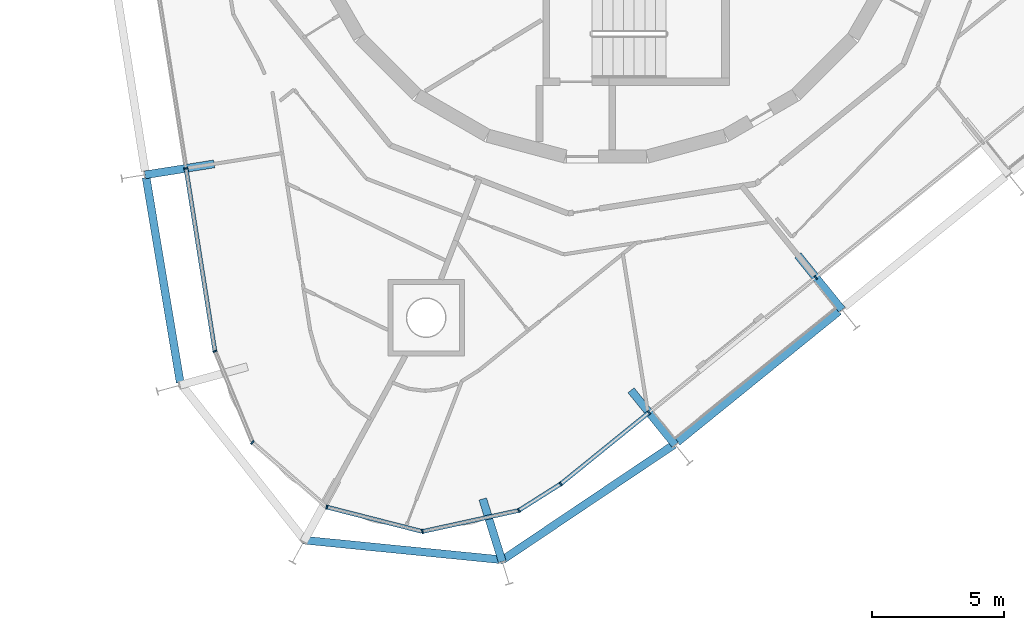
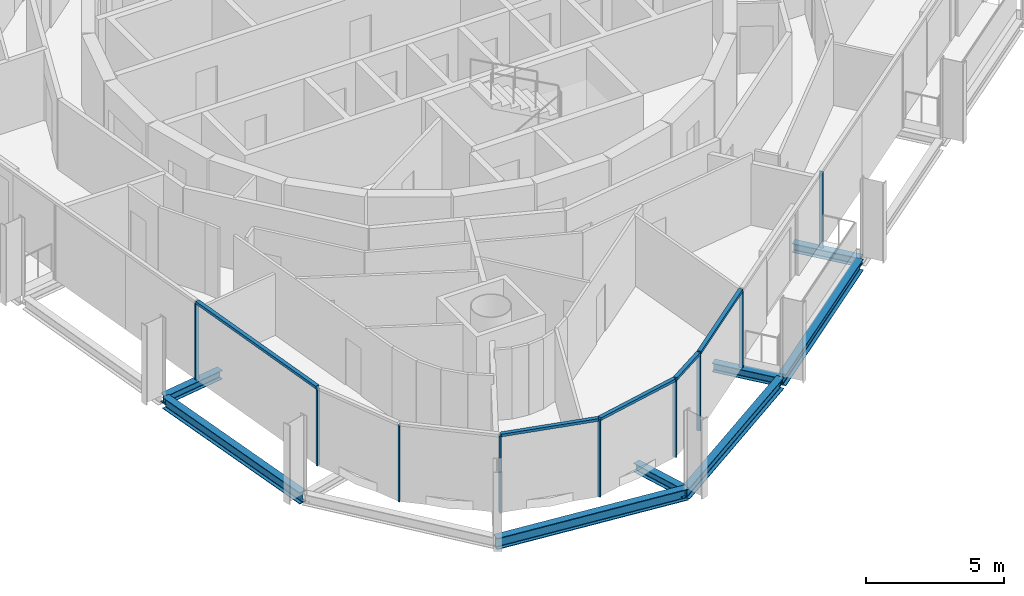
# One storey, part 2 of 17: 14 members, 8 beams, 2 elements without a shape of their own.
"""IFC4 building model written with IfcOpenShell, lengths in metres."""

from ifc_helpers import new_model, si_unit, direction, frame, origin, origin_2d, place, context, subcontext, project, spatial, rectangle, i_section, extrude, material, layer, layer_set, material_profile, profile_set, type_object, element, aggregate, save


model = new_model("IFC4")

# Units and contexts
model_context = context("Model", 3, precision=1e-05, world=origin(), true_north=direction((0.0, 1.0)))
body_context = subcontext(model_context, "Body", "Model", "MODEL_VIEW")
ifc_project = project(units=[si_unit("LENGTHUNIT", "METRE"), si_unit("AREAUNIT", "SQUARE_METRE"), si_unit("VOLUMEUNIT", "CUBIC_METRE"), si_unit("PLANEANGLEUNIT", "RADIAN"), si_unit("MASSUNIT", "GRAM", prefix="KILO")], contexts=[model_context])

# Site, building, storey
site_placement = place(None, origin())
site = spatial("IfcSite", under=ifc_project, at=site_placement, CompositionType="ELEMENT")
building_placement = place(site_placement, origin())
building = spatial("IfcBuilding", under=site, at=building_placement, Name="Spindle Arch Residences", CompositionType="ELEMENT")
storey_placement = place(building_placement, frame((0.0, 0.0, 284.39990234375)))
storey = spatial("IfcBuildingStorey", under=building, at=storey_placement, Name="L73", CompositionType="ELEMENT", Elevation=284.39990234375)

# Curtain wall, members
ifc_material_1 = material(Name="Aluminium bronze unitised frame with tinted glass", Category="aluminium")
ifc_layer_1 = layer(ifc_material_1, 0.159912109375)
ifc_layer_set_1 = layer_set([ifc_layer_1], Name="CW-D corner wall on the fillet arcs")
curtain_wall_type_1 = type_object("IfcCurtainWallType", Name="CW-D corner wall on the fillet arcs", PredefinedType="NOTDEFINED", material=ifc_layer_set_1)
curtain_wall_1_placement = place(storey_placement, origin())
curtain_wall_1 = element("IfcCurtainWall", 1, at=curtain_wall_1_placement, inside=storey, type_object=curtain_wall_type_1, Name="CW-D L73 run 5", PredefinedType="NOTDEFINED")
ifc_material_2 = material(Name="Aluminium bronze anodised mullion", Category="aluminium")
ifc_material_profile_1 = material_profile(ifc_material_2, rectangle(XDim=0.159912109375, YDim=0.06005859375, at=origin_2d()), Name="MU 60x160")
ifc_profile_set_1 = profile_set([ifc_material_profile_1], Name="Aluminium bronze anodised mullion")
member_type_1 = type_object("IfcMemberType", Name="Bronze mullion 60x160", PredefinedType="MULLION", material=ifc_profile_set_1)
member_1_placement = place(storey_placement, frame((-15.880615234375, -12.092041015625, -0.3798828125), z_axis=(0.0, 0.0, 1.0), x_axis=(0.987688340595, 0.15643446504, 0.0)))
member_1 = element("IfcMember", 2, at=member_1_placement, type_object=member_type_1, Name="CW-D mullion 00", PredefinedType="MULLION", context=body_context, shape_type="SweptSolid", body=[
    extrude(rectangle(XDim=0.159912109375, YDim=0.06005859375, at=origin_2d()), origin(), (0.0, 0.0, 1.0), 3.3798828125),
])
member_2_placement = place(storey_placement, frame((-14.787109375, -18.99560546875, -0.3798828125), z_axis=(0.0, 0.0, 1.0), x_axis=(0.92498880334, 0.379994360085, 0.0)))
member_2 = element("IfcMember", 3, at=member_2_placement, type_object=member_type_1, Name="CW-D mullion 01", PredefinedType="MULLION", context=body_context, shape_type="SweptSolid", body=[
    extrude(rectangle(XDim=0.159912109375, YDim=0.06005859375, at=origin_2d()), origin(), (0.0, 0.0, 1.0), 3.3798828125),
])
member_3_placement = place(storey_placement, frame((-13.370849609375, -22.44287109375, -0.3798828125), z_axis=(0.0, 0.0, 1.0), x_axis=(0.656059025711, 0.754709583074, 0.0)))
member_3 = element("IfcMember", 4, at=member_3_placement, type_object=member_type_1, Name="CW-D mullion 02", PredefinedType="MULLION", context=body_context, shape_type="SweptSolid", body=[
    extrude(rectangle(XDim=0.159912109375, YDim=0.06005859375, at=origin_2d()), origin(), (0.0, 0.0, 1.0), 3.3798828125),
])
member_4_placement = place(storey_placement, frame((-10.558349609375, -24.887939453125, -0.3798828125), z_axis=(0.0, 0.0, 1.0), x_axis=(0.247562720743, 0.968871869392, 0.0)))
member_4 = element("IfcMember", 5, at=member_4_placement, type_object=member_type_1, Name="CW-D mullion 03", PredefinedType="MULLION", context=body_context, shape_type="SweptSolid", body=[
    extrude(rectangle(XDim=0.159912109375, YDim=0.06005859375, at=origin_2d()), origin(), (0.0, 0.0, 1.0), 3.3798828125),
])
member_5_placement = place(storey_placement, frame((-6.947509765625, -25.810546875, -0.3798828125), z_axis=(0.0, 0.0, 1.0), x_axis=(-0.213598770213, 0.976921473489, 0.0)))
member_5 = element("IfcMember", 6, at=member_5_placement, type_object=member_type_1, Name="CW-D mullion 04", PredefinedType="MULLION", context=body_context, shape_type="SweptSolid", body=[
    extrude(rectangle(XDim=0.159912109375, YDim=0.06005859375, at=origin_2d()), origin(), (0.0, 0.0, 1.0), 3.3798828125),
])
member_6_placement = place(storey_placement, frame((-3.306884765625, -25.014404296875, -0.3798828125), z_axis=(0.0, 0.0, 1.0), x_axis=(-0.53484401224, 0.844950816658, 0.0)))
member_6 = element("IfcMember", 7, at=member_6_placement, type_object=member_type_1, Name="CW-D mullion 05", PredefinedType="MULLION", context=body_context, shape_type="SweptSolid", body=[
    extrude(rectangle(XDim=0.159912109375, YDim=0.06005859375, at=origin_2d()), origin(), (0.0, 0.0, 1.0), 3.3798828125),
])
member_7_placement = place(storey_placement, frame((-1.7216796875, -24.010986328125, -0.3798828125), z_axis=(0.0, 0.0, 1.0), x_axis=(-0.62932039105, 0.777145961457, 0.0)))
member_7 = element("IfcMember", 8, at=member_7_placement, type_object=member_type_1, Name="CW-D mullion 06", PredefinedType="MULLION", context=body_context, shape_type="SweptSolid", body=[
    extrude(rectangle(XDim=0.159912109375, YDim=0.06005859375, at=origin_2d()), origin(), (0.0, 0.0, 1.0), 3.3798828125),
])

ifc_material_3 = material(Name="Aluminium bronze unitised frame with tinted glass", Category="aluminium")
ifc_layer_2 = layer(ifc_material_3, 0.159912109375)
ifc_layer_set_2 = layer_set([ifc_layer_2], Name="CW-C typical residential unitised wall")
curtain_wall_type_2 = type_object("IfcCurtainWallType", Name="CW-C typical residential unitised wall", PredefinedType="NOTDEFINED", material=ifc_layer_set_2)
curtain_wall_2_placement = place(storey_placement, origin())
curtain_wall_2 = element("IfcCurtainWall", 9, at=curtain_wall_2_placement, inside=storey, type_object=curtain_wall_type_2, Name="CW-C L73 run 6", PredefinedType="NOTDEFINED")
member_8_placement = place(storey_placement, frame((1.610107421875, -21.31298828125, -0.3798828125), z_axis=(0.0, 0.0, 1.0), x_axis=(-0.62932039105, 0.777145961457, 0.0)))
member_8 = element("IfcMember", 10, at=member_8_placement, type_object=member_type_1, Name="CW-C mullion 18", PredefinedType="MULLION", context=body_context, shape_type="SweptSolid", body=[
    extrude(rectangle(XDim=0.159912109375, YDim=0.06005859375, at=origin_2d()), origin(), (0.0, 0.0, 1.0), 3.3798828125),
])
member_9_placement = place(storey_placement, frame((7.910888671875, -16.210693359375, -0.3798828125), z_axis=(0.0, 0.0, 1.0), x_axis=(-0.62932039105, 0.777145961457, 0.0)))
member_9 = element("IfcMember", 11, at=member_9_placement, type_object=member_type_1, Name="CW-C mullion 19", PredefinedType="MULLION", context=body_context, shape_type="SweptSolid", body=[
    extrude(rectangle(XDim=0.159912109375, YDim=0.06005859375, at=origin_2d()), origin(), (0.0, 0.0, 1.0), 3.3798828125),
])
aggregate(curtain_wall_2, [member_8, member_9])

# Member
ifc_material_4 = material(Name="Aluminium bronze anodised transom", Category="aluminium")
ifc_material_profile_2 = material_profile(ifc_material_4, rectangle(XDim=0.159912109375, YDim=0.1201171875, at=origin_2d()), Name="TR 120x160")
ifc_profile_set_2 = profile_set([ifc_material_profile_2], Name="Aluminium bronze anodised transom")
member_type_2 = type_object("IfcMemberType", Name="Bronze transom 120x160", PredefinedType="USERDEFINED", material=ifc_profile_set_2)
member_10_placement = place(storey_placement, frame((-15.875732421875, -12.12158203125, 3.06005859375), z_axis=(0.156423886955, -0.987690015941, 0.0), x_axis=(0.987690015941, 0.156423886955, 0.0)))
member_10 = element("IfcMember", 12, at=member_10_placement, type_object=member_type_2, Name="CW-D transom 00", ObjectType="TRANSOM", PredefinedType="USERDEFINED", context=body_context, shape_type="SweptSolid", body=[
    extrude(rectangle(XDim=0.159912109375, YDim=0.1201171875, at=origin_2d()), origin(), (0.0, 0.0, 1.0), 6.9296875),
])

member_11_placement = place(storey_placement, frame((-10.529296875, -24.895263671875, 3.06005859375), z_axis=(0.968876271824, -0.247545490561, 0.0), x_axis=(0.247545490561, 0.968876271824, 0.0)))
member_11 = element("IfcMember", 13, at=member_11_placement, type_object=member_type_2, Name="CW-D transom 03", ObjectType="TRANSOM", PredefinedType="USERDEFINED", context=body_context, shape_type="SweptSolid", body=[
    extrude(rectangle(XDim=0.159912109375, YDim=0.1201171875, at=origin_2d()), origin(), (0.0, 0.0, 1.0), 3.666748046875),
])

member_12_placement = place(storey_placement, frame((-6.918212890625, -25.803955078125, 3.06005859375), z_axis=(0.976920862917, 0.213601562721, 0.0), x_axis=(-0.213601562721, 0.976920862917, 0.0)))
member_12 = element("IfcMember", 14, at=member_12_placement, type_object=member_type_2, Name="CW-D transom 04", ObjectType="TRANSOM", PredefinedType="USERDEFINED", context=body_context, shape_type="SweptSolid", body=[
    extrude(rectangle(XDim=0.159912109375, YDim=0.1201171875, at=origin_2d()), origin(), (0.0, 0.0, 1.0), 3.666748046875),
])

member_13_placement = place(storey_placement, frame((-3.281494140625, -24.998291015625, 3.06005859375), z_axis=(0.844970968959, 0.534812174148, 0.0), x_axis=(-0.534812174148, 0.844970968959, 0.0)))
member_13 = element("IfcMember", 15, at=member_13_placement, type_object=member_type_2, Name="CW-D transom 05", ObjectType="TRANSOM", PredefinedType="USERDEFINED", context=body_context, shape_type="SweptSolid", body=[
    extrude(rectangle(XDim=0.159912109375, YDim=0.1201171875, at=origin_2d()), origin(), (0.0, 0.0, 1.0), 1.81591796875),
])

member_14_placement = place(storey_placement, frame((-1.6982421875, -23.9921875, 3.06005859375), z_axis=(0.777130537676, 0.629339437356, 0.0), x_axis=(-0.629339437356, 0.777130537676, 0.0)))
member_14 = element("IfcMember", 16, at=member_14_placement, type_object=member_type_2, Name="CW-D transom 06", ObjectType="TRANSOM", PredefinedType="USERDEFINED", context=body_context, shape_type="SweptSolid", body=[
    extrude(rectangle(XDim=0.159912109375, YDim=0.1201171875, at=origin_2d()), origin(), (0.0, 0.0, 1.0), 4.227294921875),
])

aggregate(curtain_wall_1, [member_1, member_10, member_2, member_3, member_4, member_11, member_5, member_12, member_6, member_13, member_7, member_14])

# Beams
ifc_material_5 = material(Name="Steel S460ML, intumescent coating R 120", Category="steel")
ifc_material_profile_3 = material_profile(ifc_material_5, i_section(OverallWidth=0.300048828125, OverallDepth=0.5, WebThickness=0.014404296875, FlangeThickness=0.028076171875, FilletRadius=0.027099609375, at=origin_2d()), Name="HEB 500")
ifc_profile_set_3 = profile_set([ifc_material_profile_3], Name="Steel S460ML, intumescent coating R 120")
beam_type_1 = type_object("IfcBeamType", Name="Exoskeleton edge beam HEB 500", PredefinedType="BEAM", material=ifc_profile_set_3)
beam_1_placement = place(storey_placement, frame((-17.385009765625, -12.43505859375, -0.6298828125), z_axis=(0.16393470778, -0.986471191462, 0.0), x_axis=(0.986471191462, 0.16393470778, 0.0)))
element("IfcBeam", 17, at=beam_1_placement, inside=storey, type_object=beam_type_1, Name="Exoskeleton edge beam 15", PredefinedType="BEAM", context=body_context, shape_type="SweptSolid", body=[
    extrude(i_section(OverallWidth=0.300048828125, OverallDepth=0.5, WebThickness=0.014404296875, FlangeThickness=0.028076171875, FilletRadius=0.027099609375, at=origin_2d()), origin(), (0.0, 0.0, 1.0), 7.845458984375),
])
beam_2_placement = place(storey_placement, frame((-11.474609375, -26.12890625, -0.6298828125), z_axis=(0.99510851629, -0.098787857593, 0.0), x_axis=(0.098787857593, 0.99510851629, 0.0)))
element("IfcBeam", 18, at=beam_2_placement, inside=storey, type_object=beam_type_1, Name="Exoskeleton edge beam 17", PredefinedType="BEAM", context=body_context, shape_type="SweptSolid", body=[
    extrude(i_section(OverallWidth=0.300048828125, OverallDepth=0.5, WebThickness=0.014404296875, FlangeThickness=0.028076171875, FilletRadius=0.027099609375, at=origin_2d()), origin(), (0.0, 0.0, 1.0), 7.631591796875),
])
beam_3_placement = place(storey_placement, frame((-3.9169921875, -26.877685546875, -0.6298828125), z_axis=(0.829907876947, 0.557900453291, 0.0), x_axis=(-0.557900453291, 0.829907876947, 0.0)))
element("IfcBeam", 19, at=beam_3_placement, inside=storey, type_object=beam_type_1, Name="Exoskeleton edge beam 18", PredefinedType="BEAM", context=body_context, shape_type="SweptSolid", body=[
    extrude(i_section(OverallWidth=0.300048828125, OverallDepth=0.5, WebThickness=0.014404296875, FlangeThickness=0.028076171875, FilletRadius=0.027099609375, at=origin_2d()), origin(), (0.0, 0.0, 1.0), 7.7890625),
])
beam_4_placement = place(storey_placement, frame((2.680419921875, -22.427978515625, -0.6298828125), z_axis=(0.777152125993, 0.629312778406, 0.0), x_axis=(-0.629312778406, 0.777152125993, 0.0)))
element("IfcBeam", 20, at=beam_4_placement, inside=storey, type_object=beam_type_1, Name="Exoskeleton edge beam 19", PredefinedType="BEAM", context=body_context, shape_type="SweptSolid", body=[
    extrude(i_section(OverallWidth=0.300048828125, OverallDepth=0.5, WebThickness=0.014404296875, FlangeThickness=0.028076171875, FilletRadius=0.027099609375, at=origin_2d()), origin(), (0.0, 0.0, 1.0), 7.847412109375),
])
ifc_material_6 = material(Name="Steel S460ML, intumescent coating R 120", Category="steel")
ifc_material_profile_4 = material_profile(ifc_material_6, i_section(OverallWidth=0.300048828125, OverallDepth=0.389892578125, WebThickness=0.010986328125, FlangeThickness=0.01904296875, FilletRadius=0.027099609375, at=origin_2d()), Name="HEA 400")
ifc_profile_set_4 = profile_set([ifc_material_profile_4], Name="Steel S460ML, intumescent coating R 120")
beam_type_2 = type_object("IfcBeamType", Name="Floor outrigger HEA 400", PredefinedType="BEAM", material=ifc_profile_set_4)
beam_5_placement = place(storey_placement, frame((-17.43115234375, -12.337646484375, -0.574951171875), z_axis=(0.987688904051, 0.156430907479, 0.0), x_axis=(-0.156430907479, 0.987688904051, 0.0)))
element("IfcBeam", 21, at=beam_5_placement, inside=storey, type_object=beam_type_2, Name="Floor outrigger 15", PredefinedType="BEAM", context=body_context, shape_type="SweptSolid", body=[
    extrude(i_section(OverallWidth=0.300048828125, OverallDepth=0.389892578125, WebThickness=0.010986328125, FlangeThickness=0.01904296875, FilletRadius=0.027099609375, at=origin_2d()), origin(), (0.0, 0.0, 1.0), 2.650146484375),
])
beam_6_placement = place(storey_placement, frame((-3.932373046875, -26.943603515625, -0.574951171875), z_axis=(-0.297848736129, 0.954613078889, 0.0), x_axis=(-0.954613078889, -0.297848736129, 0.0)))
element("IfcBeam", 22, at=beam_6_placement, inside=storey, type_object=beam_type_2, Name="Floor outrigger 18", PredefinedType="BEAM", context=body_context, shape_type="SweptSolid", body=[
    extrude(i_section(OverallWidth=0.300048828125, OverallDepth=0.389892578125, WebThickness=0.010986328125, FlangeThickness=0.01904296875, FilletRadius=0.027099609375, at=origin_2d()), origin(), (0.0, 0.0, 1.0), 2.478759765625),
])
for number, where, z_axis, x_axis, name in (
    (23, (2.59814453125, -22.533203125, -0.574951171875), (-0.629301579077, 0.777161194715, 0.0), (-0.777161194715, -0.629301579077, 0.0), "Floor outrigger 19"),
    (24, (8.89892578125, -17.430908203125, -0.574951171875), (-0.629301579077, 0.777161194715, 0.0), (-0.777161194715, -0.629301579077, 0.0), "Floor outrigger 20"),
):
    element("IfcBeam", number, at=place(storey_placement, frame(where, z_axis=z_axis, x_axis=x_axis)), inside=storey, type_object=beam_type_2, Name=name, PredefinedType="BEAM", context=body_context, shape_type="SweptSolid", body=[
        extrude(i_section(OverallWidth=0.300048828125, OverallDepth=0.389892578125, WebThickness=0.010986328125, FlangeThickness=0.01904296875, FilletRadius=0.027099609375, at=origin_2d()), origin(), (0.0, 0.0, 1.0), 2.650146484375),
    ])

save(model, "model.ifc")
